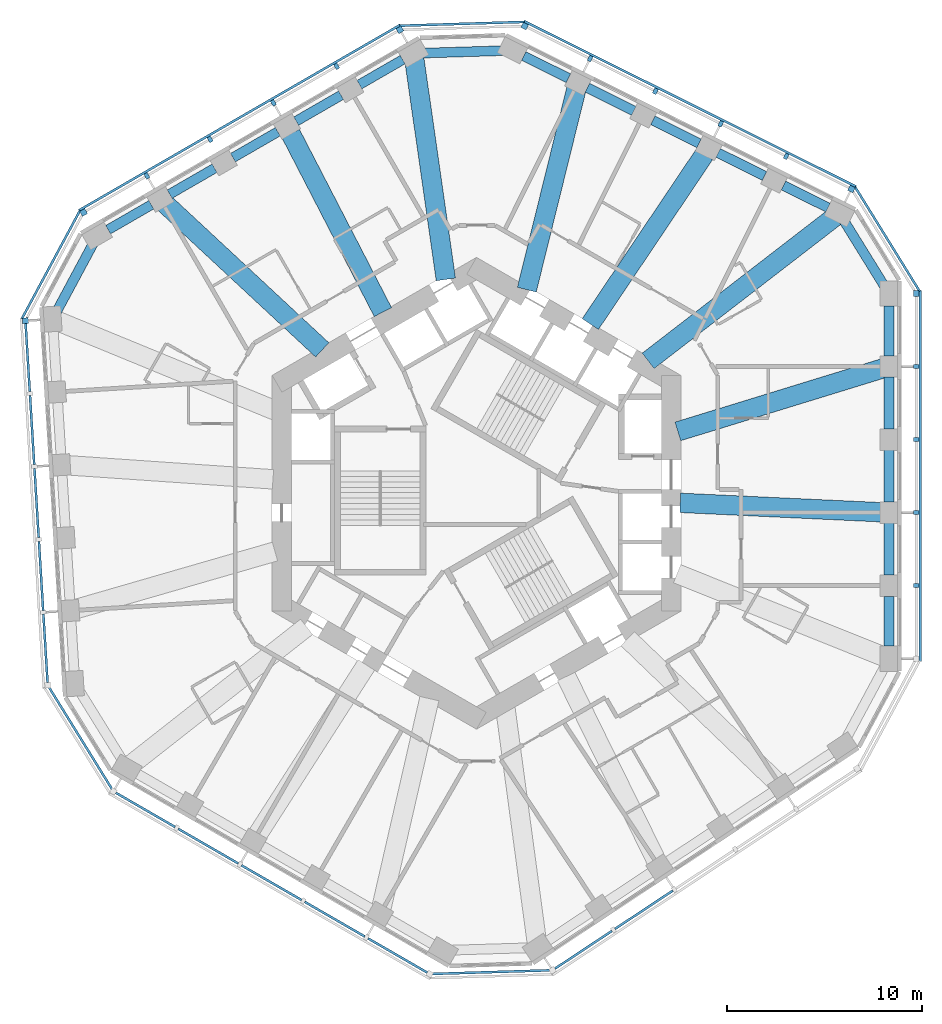
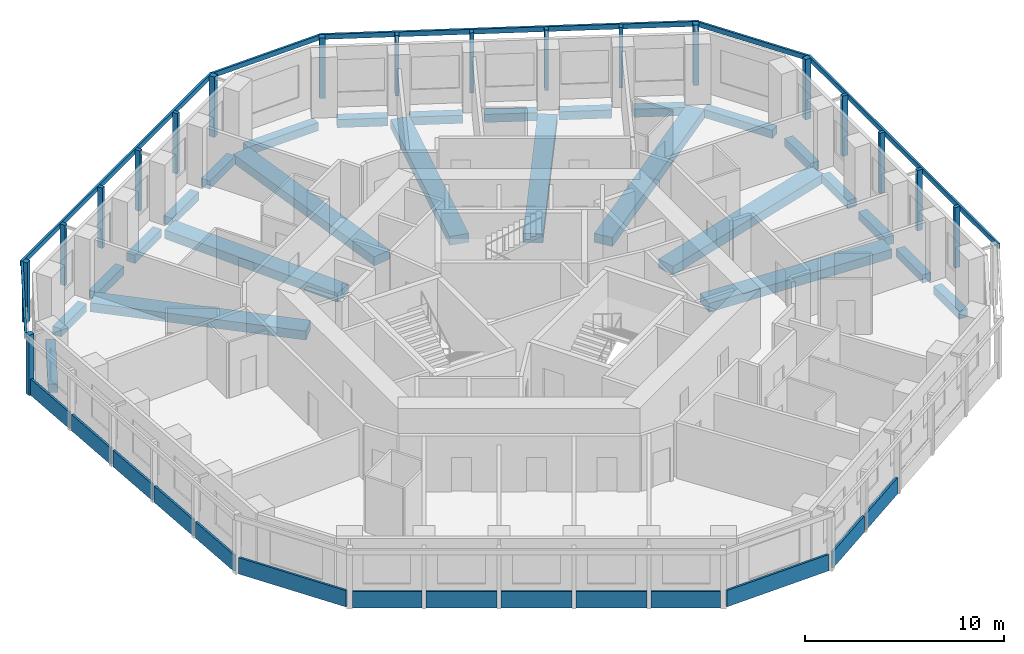
# One storey, part 2 of 11: 26 beams, 24 members, 14 plates, 11 elements without a shape of their own.
"""IFC4 building model written with IfcOpenShell, lengths in metres."""

from ifc_helpers import new_model, si_unit, direction, frame, origin, origin_2d, place, context, subcontext, project, spatial, rectangle, extrude, material, layer, layer_set, material_profile, profile_set, type_object, element, aggregate, save


model = new_model("IFC4")

# Units and contexts
model_context = context("Model", 3, precision=1e-05, world=origin(), true_north=direction((0.0, 1.0)))
body_context = subcontext(model_context, "Body", "Model", "MODEL_VIEW")
ifc_project = project(units=[si_unit("LENGTHUNIT", "METRE"), si_unit("AREAUNIT", "SQUARE_METRE"), si_unit("VOLUMEUNIT", "CUBIC_METRE"), si_unit("PLANEANGLEUNIT", "RADIAN"), si_unit("MASSUNIT", "GRAM", prefix="KILO")], contexts=[model_context])

# Site, building, storey
site_placement = place(None, origin())
site = spatial("IfcSite", under=ifc_project, at=site_placement, CompositionType="ELEMENT")
building_placement = place(site_placement, origin())
building = spatial("IfcBuilding", under=site, at=building_placement, Name="Vanh Sen Convention Tower", CompositionType="ELEMENT")
storey_placement = place(building_placement, frame((0.0, 0.0, 128.10009765625)))
storey = spatial("IfcBuildingStorey", under=building, at=storey_placement, Name="L31", CompositionType="ELEMENT", Elevation=128.10009765625)

# Curtain wall, member
ifc_material_1 = material(Name="Concrete C50/60", Category="concrete")
curtain_wall_type = type_object("IfcCurtainWallType", Name="Outer skin office zone", PredefinedType="NOTDEFINED", material=ifc_material_1)
curtain_wall_1_placement = place(storey_placement, origin())
curtain_wall_1 = element("IfcCurtainWall", 1, at=curtain_wall_1_placement, inside=storey, type_object=curtain_wall_type, Name="OUTER SKIN E L31", PredefinedType="NOTDEFINED")
ifc_material_profile_1 = material_profile(ifc_material_1, rectangle(XDim=0.300048828125, YDim=0.300048828125, at=origin_2d()), Name="Outer skin precast corner fin 300 x 300")
ifc_profile_set_1 = profile_set([ifc_material_profile_1], Name="Concrete C50/60")
member_type_1 = type_object("IfcMemberType", Name="Outer skin precast corner fin 300 x 300", PredefinedType="MULLION", material=ifc_profile_set_1)
member_1_placement = place(storey_placement, frame((22.60009765625, 10.26953125, 0.0), z_axis=(0.0, 0.0, 1.0), x_axis=(0.0, 1.0, 0.0)))
member_1 = element("IfcMember", 2, at=member_1_placement, type_object=member_type_1, Name="OUTER SKIN CORNER FIN 6 E L31", PredefinedType="MULLION", context=body_context, shape_type="SweptSolid", body=[
    extrude(rectangle(XDim=0.300048828125, YDim=0.300048828125, at=origin_2d()), origin(), (0.0, 0.0, 1.0), 3.699951171875),
])

# Curtain wall, members
curtain_wall_2_placement = place(storey_placement, origin())
curtain_wall_2 = element("IfcCurtainWall", 3, at=curtain_wall_2_placement, inside=storey, type_object=curtain_wall_type, Name="OUTER SKIN NE L31", PredefinedType="NOTDEFINED")
member_2_placement = place(storey_placement, frame((19.274658203125, 15.643310546875, 0.0), z_axis=(0.0, 0.0, 1.0), x_axis=(-0.894934361602, 0.44619781311, 0.0)))
member_2 = element("IfcMember", 4, at=member_2_placement, type_object=member_type_1, Name="OUTER SKIN CORNER FIN 1 NE L31", PredefinedType="MULLION", context=body_context, shape_type="SweptSolid", body=[
    extrude(rectangle(XDim=0.300048828125, YDim=0.300048828125, at=origin_2d()), origin(), (0.0, 0.0, 1.0), 3.699951171875),
])
member_3_placement = place(storey_placement, frame((2.476318359375, 24.0185546875, 0.0), z_axis=(0.0, 0.0, 1.0), x_axis=(-0.894934361602, 0.44619781311, 0.0)))
member_3 = element("IfcMember", 5, at=member_3_placement, type_object=member_type_1, Name="OUTER SKIN CORNER FIN 6 NE L31", PredefinedType="MULLION", context=body_context, shape_type="SweptSolid", body=[
    extrude(rectangle(XDim=0.300048828125, YDim=0.300048828125, at=origin_2d()), origin(), (0.0, 0.0, 1.0), 3.699951171875),
])

curtain_wall_3_placement = place(storey_placement, origin())
curtain_wall_3 = element("IfcCurtainWall", 6, at=curtain_wall_3_placement, inside=storey, type_object=curtain_wall_type, Name="OUTER SKIN NW L31", PredefinedType="NOTDEFINED")
member_4_placement = place(storey_placement, frame((-3.93798828125, 23.822509765625, 0.0), z_axis=(0.0, 0.0, 1.0), x_axis=(-0.866025403784, -0.5, 0.0)))
member_4 = element("IfcMember", 7, at=member_4_placement, type_object=member_type_1, Name="OUTER SKIN CORNER FIN 1 NW L31", PredefinedType="MULLION", context=body_context, shape_type="SweptSolid", body=[
    extrude(rectangle(XDim=0.300048828125, YDim=0.300048828125, at=origin_2d()), origin(), (0.0, 0.0, 1.0), 3.699951171875),
])
member_5_placement = place(storey_placement, frame((-20.193603515625, 14.4375, 0.0), z_axis=(0.0, 0.0, 1.0), x_axis=(-0.866025403784, -0.5, 0.0)))
member_5 = element("IfcMember", 8, at=member_5_placement, type_object=member_type_1, Name="OUTER SKIN CORNER FIN 6 NW L31", PredefinedType="MULLION", context=body_context, shape_type="SweptSolid", body=[
    extrude(rectangle(XDim=0.300048828125, YDim=0.300048828125, at=origin_2d()), origin(), (0.0, 0.0, 1.0), 3.699951171875),
])

# Curtain wall, member
curtain_wall_4_placement = place(storey_placement, origin())
curtain_wall_4 = element("IfcCurtainWall", 9, at=curtain_wall_4_placement, inside=storey, type_object=curtain_wall_type, Name="OUTER SKIN W L31", PredefinedType="NOTDEFINED")
member_6_placement = place(storey_placement, frame((-23.184814453125, 8.87060546875, 0.0), z_axis=(0.0, 0.0, 1.0), x_axis=(0.061048539535, -0.998134798422, 0.0)))
member_6 = element("IfcMember", 10, at=member_6_placement, type_object=member_type_1, Name="OUTER SKIN CORNER FIN 1 W L31", PredefinedType="MULLION", context=body_context, shape_type="SweptSolid", body=[
    extrude(rectangle(XDim=0.300048828125, YDim=0.300048828125, at=origin_2d()), origin(), (0.0, 0.0, 1.0), 3.699951171875),
])

# Member
ifc_material_profile_2 = material_profile(ifc_material_1, rectangle(XDim=0.199951171875, YDim=0.300048828125, at=origin_2d()), Name="Outer skin precast fin 200 x 300")
ifc_profile_set_2 = profile_set([ifc_material_profile_2], Name="Concrete C50/60")
member_type_2 = type_object("IfcMemberType", Name="Outer skin precast fin 200 x 300", PredefinedType="MULLION", material=ifc_profile_set_2)
member_7_placement = place(storey_placement, frame((22.60009765625, -4.746826171875, 0.0), z_axis=(0.0, 0.0, 1.0), x_axis=(0.0, 1.0, 0.0)))
member_7 = element("IfcMember", 11, at=member_7_placement, type_object=member_type_2, Name="OUTER SKIN fin 2 E L31", PredefinedType="MULLION", context=body_context, shape_type="SweptSolid", body=[
    extrude(rectangle(XDim=0.199951171875, YDim=0.300048828125, at=origin_2d()), origin(), (0.0, 0.0, 1.0), 3.699951171875),
])

member_8_placement = place(storey_placement, frame((22.60009765625, -0.992919921875, 0.0), z_axis=(0.0, 0.0, 1.0), x_axis=(0.0, 1.0, 0.0)))
member_8 = element("IfcMember", 12, at=member_8_placement, type_object=member_type_2, Name="OUTER SKIN fin 3 E L31", PredefinedType="MULLION", context=body_context, shape_type="SweptSolid", body=[
    extrude(rectangle(XDim=0.199951171875, YDim=0.300048828125, at=origin_2d()), origin(), (0.0, 0.0, 1.0), 3.699951171875),
])

member_9_placement = place(storey_placement, frame((22.60009765625, 2.76123046875, 0.0), z_axis=(0.0, 0.0, 1.0), x_axis=(0.0, 1.0, 0.0)))
member_9 = element("IfcMember", 13, at=member_9_placement, type_object=member_type_2, Name="OUTER SKIN fin 4 E L31", PredefinedType="MULLION", context=body_context, shape_type="SweptSolid", body=[
    extrude(rectangle(XDim=0.199951171875, YDim=0.300048828125, at=origin_2d()), origin(), (0.0, 0.0, 1.0), 3.699951171875),
])

member_10_placement = place(storey_placement, frame((22.60009765625, 6.515380859375, 0.0), z_axis=(0.0, 0.0, 1.0), x_axis=(0.0, 1.0, 0.0)))
member_10 = element("IfcMember", 14, at=member_10_placement, type_object=member_type_2, Name="OUTER SKIN fin 5 E L31", PredefinedType="MULLION", context=body_context, shape_type="SweptSolid", body=[
    extrude(rectangle(XDim=0.199951171875, YDim=0.300048828125, at=origin_2d()), origin(), (0.0, 0.0, 1.0), 3.699951171875),
])

member_11_placement = place(storey_placement, frame((15.9150390625, 17.318359375, 0.0), z_axis=(0.0, 0.0, 1.0), x_axis=(-0.894934361602, 0.44619781311, 0.0)))
member_11 = element("IfcMember", 15, at=member_11_placement, type_object=member_type_2, Name="OUTER SKIN fin 2 NE L31", PredefinedType="MULLION", context=body_context, shape_type="SweptSolid", body=[
    extrude(rectangle(XDim=0.199951171875, YDim=0.300048828125, at=origin_2d()), origin(), (0.0, 0.0, 1.0), 3.699951171875),
])

member_12_placement = place(storey_placement, frame((12.555419921875, 18.993408203125, 0.0), z_axis=(0.0, 0.0, 1.0), x_axis=(-0.894934361602, 0.44619781311, 0.0)))
member_12 = element("IfcMember", 16, at=member_12_placement, type_object=member_type_2, Name="OUTER SKIN fin 3 NE L31", PredefinedType="MULLION", context=body_context, shape_type="SweptSolid", body=[
    extrude(rectangle(XDim=0.199951171875, YDim=0.300048828125, at=origin_2d()), origin(), (0.0, 0.0, 1.0), 3.699951171875),
])

member_13_placement = place(storey_placement, frame((9.195556640625, 20.66845703125, 0.0), z_axis=(0.0, 0.0, 1.0), x_axis=(-0.894934361602, 0.44619781311, 0.0)))
member_13 = element("IfcMember", 17, at=member_13_placement, type_object=member_type_2, Name="OUTER SKIN fin 4 NE L31", PredefinedType="MULLION", context=body_context, shape_type="SweptSolid", body=[
    extrude(rectangle(XDim=0.199951171875, YDim=0.300048828125, at=origin_2d()), origin(), (0.0, 0.0, 1.0), 3.699951171875),
])

member_14_placement = place(storey_placement, frame((5.8359375, 22.343505859375, 0.0), z_axis=(0.0, 0.0, 1.0), x_axis=(-0.894934361602, 0.44619781311, 0.0)))
member_14 = element("IfcMember", 18, at=member_14_placement, type_object=member_type_2, Name="OUTER SKIN fin 5 NE L31", PredefinedType="MULLION", context=body_context, shape_type="SweptSolid", body=[
    extrude(rectangle(XDim=0.199951171875, YDim=0.300048828125, at=origin_2d()), origin(), (0.0, 0.0, 1.0), 3.699951171875),
])

member_15_placement = place(storey_placement, frame((-7.189208984375, 21.945556640625, 0.0), z_axis=(0.0, 0.0, 1.0), x_axis=(-0.866025403784, -0.5, 0.0)))
member_15 = element("IfcMember", 19, at=member_15_placement, type_object=member_type_2, Name="OUTER SKIN fin 2 NW L31", PredefinedType="MULLION", context=body_context, shape_type="SweptSolid", body=[
    extrude(rectangle(XDim=0.199951171875, YDim=0.300048828125, at=origin_2d()), origin(), (0.0, 0.0, 1.0), 3.699951171875),
])

member_16_placement = place(storey_placement, frame((-10.440185546875, 20.068603515625, 0.0), z_axis=(0.0, 0.0, 1.0), x_axis=(-0.866025403784, -0.5, 0.0)))
member_16 = element("IfcMember", 20, at=member_16_placement, type_object=member_type_2, Name="OUTER SKIN fin 3 NW L31", PredefinedType="MULLION", context=body_context, shape_type="SweptSolid", body=[
    extrude(rectangle(XDim=0.199951171875, YDim=0.300048828125, at=origin_2d()), origin(), (0.0, 0.0, 1.0), 3.699951171875),
])

member_17_placement = place(storey_placement, frame((-13.69140625, 18.19140625, 0.0), z_axis=(0.0, 0.0, 1.0), x_axis=(-0.866025403784, -0.5, 0.0)))
member_17 = element("IfcMember", 21, at=member_17_placement, type_object=member_type_2, Name="OUTER SKIN fin 4 NW L31", PredefinedType="MULLION", context=body_context, shape_type="SweptSolid", body=[
    extrude(rectangle(XDim=0.199951171875, YDim=0.300048828125, at=origin_2d()), origin(), (0.0, 0.0, 1.0), 3.699951171875),
])

member_18_placement = place(storey_placement, frame((-16.9423828125, 16.314453125, 0.0), z_axis=(0.0, 0.0, 1.0), x_axis=(-0.866025403784, -0.5, 0.0)))
member_18 = element("IfcMember", 22, at=member_18_placement, type_object=member_type_2, Name="OUTER SKIN fin 5 NW L31", PredefinedType="MULLION", context=body_context, shape_type="SweptSolid", body=[
    extrude(rectangle(XDim=0.199951171875, YDim=0.300048828125, at=origin_2d()), origin(), (0.0, 0.0, 1.0), 3.699951171875),
])

ifc_material_profile_3 = material_profile(ifc_material_1, rectangle(XDim=0.1201171875, YDim=0.300048828125, at=origin_2d()), Name="Outer skin precast spandrel band 300 x 120")
ifc_profile_set_3 = profile_set([ifc_material_profile_3], Name="Concrete C50/60")
member_type_3 = type_object("IfcMemberType", Name="Outer skin precast spandrel band 300 x 120", PredefinedType="USERDEFINED", material=ifc_profile_set_3)
member_19_placement = place(storey_placement, frame((22.81005859375, -8.65087890625, 3.5498046875), z_axis=(0.0, 1.0, 0.0), x_axis=(-1.0, 0.0, 0.0)))
member_19 = element("IfcMember", 23, at=member_19_placement, type_object=member_type_3, Name="OUTER SKIN spandrel band E L31", ObjectType="TRANSOM", PredefinedType="USERDEFINED", context=body_context, shape_type="SweptSolid", body=[
    extrude(rectangle(XDim=0.1201171875, YDim=0.300048828125, at=origin_2d()), origin(), (0.0, 0.0, 1.0), 19.0703125),
])

aggregate(curtain_wall_1, [member_7, member_8, member_9, member_10, member_1, member_19])

# Curtain wall, member
curtain_wall_5_placement = place(storey_placement, origin())
curtain_wall_5 = element("IfcCurtainWall", 24, at=curtain_wall_5_placement, inside=storey, type_object=curtain_wall_type, Name="OUTER SKIN CH1 L31", PredefinedType="NOTDEFINED")
member_20_placement = place(storey_placement, frame((22.778564453125, 10.3798828125, 3.5498046875), z_axis=(-0.526173726926, 0.850377098171, 0.0), x_axis=(-0.850377098171, -0.526173726926, 0.0)))
member_20 = element("IfcMember", 25, at=member_20_placement, type_object=member_type_3, Name="OUTER SKIN spandrel band CH1 L31", ObjectType="TRANSOM", PredefinedType="USERDEFINED", context=body_context, shape_type="SweptSolid", body=[
    extrude(rectangle(XDim=0.1201171875, YDim=0.300048828125, at=origin_2d()), origin(), (0.0, 0.0, 1.0), 6.319580078125),
])
aggregate(curtain_wall_5, [member_20])

# Member
member_21_placement = place(storey_placement, frame((19.502685546875, 15.764404296875, 3.5498046875), z_axis=(-0.894941234474, 0.446184027996, 0.0), x_axis=(-0.446184027996, -0.894941234474, 0.0)))
member_21 = element("IfcMember", 26, at=member_21_placement, type_object=member_type_3, Name="OUTER SKIN spandrel band NE L31", ObjectType="TRANSOM", PredefinedType="USERDEFINED", context=body_context, shape_type="SweptSolid", body=[
    extrude(rectangle(XDim=0.1201171875, YDim=0.300048828125, at=origin_2d()), origin(), (0.0, 0.0, 1.0), 19.07080078125),
])

aggregate(curtain_wall_2, [member_2, member_11, member_12, member_13, member_14, member_3, member_21])

# Curtain wall, member
curtain_wall_6_placement = place(storey_placement, origin())
curtain_wall_6 = element("IfcCurtainWall", 27, at=curtain_wall_6_placement, inside=storey, type_object=curtain_wall_type, Name="OUTER SKIN CH2 L31", PredefinedType="NOTDEFINED")
member_22_placement = place(storey_placement, frame((2.4697265625, 24.228515625, 3.5498046875), z_axis=(-0.999533221695, -0.030550592913, 0.0), x_axis=(0.030550592913, -0.999533221695, 0.0)))
member_22 = element("IfcMember", 28, at=member_22_placement, type_object=member_type_3, Name="OUTER SKIN spandrel band CH2 L31", ObjectType="TRANSOM", PredefinedType="USERDEFINED", context=body_context, shape_type="SweptSolid", body=[
    extrude(rectangle(XDim=0.1201171875, YDim=0.300048828125, at=origin_2d()), origin(), (0.0, 0.0, 1.0), 6.4169921875),
])
aggregate(curtain_wall_6, [member_22])

# Member
member_23_placement = place(storey_placement, frame((-3.9130859375, 24.07958984375, 3.5498046875), z_axis=(-0.866023136587, -0.500003926881, 0.0), x_axis=(0.500003926881, -0.866023136587, 0.0)))
member_23 = element("IfcMember", 29, at=member_23_placement, type_object=member_type_3, Name="OUTER SKIN spandrel band NW L31", ObjectType="TRANSOM", PredefinedType="USERDEFINED", context=body_context, shape_type="SweptSolid", body=[
    extrude(rectangle(XDim=0.1201171875, YDim=0.300048828125, at=origin_2d()), origin(), (0.0, 0.0, 1.0), 19.070556640625),
])

aggregate(curtain_wall_3, [member_4, member_15, member_16, member_17, member_18, member_5, member_23])

# Curtain wall, member
curtain_wall_7_placement = place(storey_placement, origin())
curtain_wall_7 = element("IfcCurtainWall", 30, at=curtain_wall_7_placement, inside=storey, type_object=curtain_wall_type, Name="OUTER SKIN CH3 L31", PredefinedType="NOTDEFINED")
member_24_placement = place(storey_placement, frame((-20.378662109375, 14.536865234375, 3.5498046875), z_axis=(-0.47333707755, -0.880881383057, 0.0), x_axis=(0.880881383057, -0.47333707755, 0.0)))
member_24 = element("IfcMember", 31, at=member_24_placement, type_object=member_type_3, Name="OUTER SKIN spandrel band CH3 L31", ObjectType="TRANSOM", PredefinedType="USERDEFINED", context=body_context, shape_type="SweptSolid", body=[
    extrude(rectangle(XDim=0.1201171875, YDim=0.300048828125, at=origin_2d()), origin(), (0.0, 0.0, 1.0), 6.3193359375),
])
aggregate(curtain_wall_7, [member_24])

# Beams
ifc_material_2 = material(Name="Concrete C50/60", Category="concrete")
ifc_material_profile_4 = material_profile(ifc_material_2, rectangle(XDim=1.0, YDim=0.550048828125, at=origin_2d()), Name="RC 1000X550")
ifc_profile_set_4 = profile_set([ifc_material_profile_4], Name="Concrete C50/60")
beam_type_1 = type_object("IfcBeamType", Name="Radial floor beam 1000 x 550", PredefinedType="BEAM", material=ifc_profile_set_4)
beam_1_placement = place(storey_placement, frame((20.7783203125, -0.97314453125, -0.55517578125), z_axis=(-0.998905248477, 0.046779317705, 0.0), x_axis=(-0.046779317705, -0.998905248477, 0.0)))
element("IfcBeam", 32, at=beam_1_placement, inside=storey, type_object=beam_type_1, Name="Radial beam 02 L31", PredefinedType="BEAM", context=body_context, shape_type="SweptSolid", body=[
    extrude(rectangle(XDim=1.0, YDim=0.550048828125, at=origin_2d()), origin(), (0.0, 0.0, 1.0), 10.31787109375),
])
beam_2_placement = place(storey_placement, frame((20.97021484375, 6.44482421875, -0.55517578125), z_axis=(-0.955876339667, -0.293769336835, 0.0), x_axis=(0.293769336835, -0.955876339667, 0.0)))
element("IfcBeam", 33, at=beam_2_placement, inside=storey, type_object=beam_type_1, Name="Radial beam 03 L31", PredefinedType="BEAM", context=body_context, shape_type="SweptSolid", body=[
    extrude(rectangle(XDim=1.0, YDim=0.550048828125, at=origin_2d()), origin(), (0.0, 0.0, 1.0), 11.112060546875),
])
beam_3_placement = place(storey_placement, frame((18.449951171875, 14.236083984375, -0.55517578125), z_axis=(-0.79170818872, -0.610899454832, 0.0), x_axis=(0.610899454832, -0.79170818872, 0.0)))
element("IfcBeam", 34, at=beam_3_placement, inside=storey, type_object=beam_type_1, Name="Radial beam 04 L31", PredefinedType="BEAM", context=body_context, shape_type="SweptSolid", body=[
    extrude(rectangle(XDim=1.0, YDim=0.550048828125, at=origin_2d()), origin(), (0.0, 0.0, 1.0), 12.161865234375),
])
beam_4_placement = place(storey_placement, frame((11.716552734375, 17.422119140625, -0.55517578125), z_axis=(-0.558062126182, -0.829799170475, 0.0), x_axis=(0.829799170475, -0.558062126182, 0.0)))
element("IfcBeam", 35, at=beam_4_placement, inside=storey, type_object=beam_type_1, Name="Radial beam 05 L31", PredefinedType="BEAM", context=body_context, shape_type="SweptSolid", body=[
    extrude(rectangle(XDim=1.0, YDim=0.550048828125, at=origin_2d()), origin(), (0.0, 0.0, 1.0), 10.510009765625),
])
beam_5_placement = place(storey_placement, frame((5.144287109375, 20.81982421875, -0.55517578125), z_axis=(-0.239868649212, -0.970805351821, 0.0), x_axis=(0.970805351821, -0.239868649212, 0.0)))
element("IfcBeam", 36, at=beam_5_placement, inside=storey, type_object=beam_type_1, Name="Radial beam 06 L31", PredefinedType="BEAM", context=body_context, shape_type="SweptSolid", body=[
    extrude(rectangle(XDim=1.0, YDim=0.550048828125, at=origin_2d()), origin(), (0.0, 0.0, 1.0), 10.66552734375),
])
beam_6_placement = place(storey_placement, frame((-3.1982421875, 22.333740234375, -0.55517578125), z_axis=(0.141740638319, -0.989903829394, 0.0), x_axis=(0.989903829394, 0.141740638319, 0.0)))
element("IfcBeam", 37, at=beam_6_placement, inside=storey, type_object=beam_type_1, Name="Radial beam 07 L31", PredefinedType="BEAM", context=body_context, shape_type="SweptSolid", body=[
    extrude(rectangle(XDim=1.0, YDim=0.550048828125, at=origin_2d()), origin(), (0.0, 0.0, 1.0), 11.454345703125),
])
beam_7_placement = place(storey_placement, frame((-9.54638671875, 18.481201171875, -0.55517578125), z_axis=(0.458939431593, -0.888467556036, 0.0), x_axis=(0.888467556036, 0.458939431593, 0.0)))
element("IfcBeam", 38, at=beam_7_placement, inside=storey, type_object=beam_type_1, Name="Radial beam 08 L31", PredefinedType="BEAM", context=body_context, shape_type="SweptSolid", body=[
    extrude(rectangle(XDim=1.0, YDim=0.550048828125, at=origin_2d()), origin(), (0.0, 0.0, 1.0), 10.318115234375),
])
beam_8_placement = place(storey_placement, frame((-16.06640625, 14.9384765625, -0.55517578125), z_axis=(0.732344952361, -0.680933822594, 0.0), x_axis=(0.680933822594, 0.732344952361, 0.0)))
element("IfcBeam", 39, at=beam_8_placement, inside=storey, type_object=beam_type_1, Name="Radial beam 09 L31", PredefinedType="BEAM", context=body_context, shape_type="SweptSolid", body=[
    extrude(rectangle(XDim=1.0, YDim=0.550048828125, at=origin_2d()), origin(), (0.0, 0.0, 1.0), 11.112060546875),
])
ifc_material_profile_5 = material_profile(ifc_material_2, rectangle(XDim=0.5, YDim=0.5, at=origin_2d()), Name="RC 500X500")
ifc_profile_set_5 = profile_set([ifc_material_profile_5], Name="Concrete C50/60")
beam_type_2 = type_object("IfcBeamType", Name="Spandrel beam 500 x 500", PredefinedType="SPANDREL", material=ifc_profile_set_5)
beam_9_placement = place(storey_placement, frame((21.199951171875, -7.85595703125, -0.530029296875), z_axis=(0.0, 1.0, 0.0), x_axis=(-1.0, 0.0, 0.0)))
element("IfcBeam", 40, at=beam_9_placement, inside=storey, type_object=beam_type_2, Name="Spandrel beam 01 L31", PredefinedType="SPANDREL", context=body_context, shape_type="SweptSolid", body=[
    extrude(rectangle(XDim=0.5, YDim=0.5, at=origin_2d()), origin(), (0.0, 0.0, 1.0), 2.56396484375),
])
for number, where, z_axis, x_axis, name in (
    (41, (21.199951171875, -4.201904296875, -0.530029296875), (0.0, 1.0, 0.0), (-1.0, 0.0, 0.0), "Spandrel beam 02 L31"),
    (42, (21.199951171875, -0.44775390625, -0.530029296875), (0.0, 1.0, 0.0), (-1.0, 0.0, 0.0), "Spandrel beam 03 L31"),
    (43, (21.199951171875, 3.306396484375, -0.530029296875), (0.0, 1.0, 0.0), (-1.0, 0.0, 0.0), "Spandrel beam 04 L31"),
):
    element("IfcBeam", number, at=place(storey_placement, frame(where, z_axis=z_axis, x_axis=x_axis)), inside=storey, type_object=beam_type_2, Name=name, PredefinedType="SPANDREL", context=body_context, shape_type="SweptSolid", body=[
        extrude(rectangle(XDim=0.5, YDim=0.5, at=origin_2d()), origin(), (0.0, 0.0, 1.0), 2.6640625),
    ])
beam_10_placement = place(storey_placement, frame((21.199951171875, 7.060302734375, -0.530029296875), z_axis=(0.0, 1.0, 0.0), x_axis=(-1.0, 0.0, 0.0)))
element("IfcBeam", 44, at=beam_10_placement, inside=storey, type_object=beam_type_2, Name="Spandrel beam 05 L31", PredefinedType="SPANDREL", context=body_context, shape_type="SweptSolid", body=[
    extrude(rectangle(XDim=0.5, YDim=0.5, at=origin_2d()), origin(), (0.0, 0.0, 1.0), 2.564208984375),
])
beam_11_placement = place(storey_placement, frame((20.965087890625, 10.64892578125, -0.530029296875), z_axis=(-0.526180283514, 0.850373041224, 0.0), x_axis=(-0.850373041224, -0.526180283514, 0.0)))
element("IfcBeam", 45, at=beam_11_placement, inside=storey, type_object=beam_type_2, Name="Spandrel beam 06 L31", PredefinedType="SPANDREL", context=body_context, shape_type="SweptSolid", body=[
    extrude(rectangle(XDim=0.5, YDim=0.5, at=origin_2d()), origin(), (0.0, 0.0, 1.0), 3.95361328125),
])
beam_12_placement = place(storey_placement, frame((18.07275390625, 14.67822265625, -0.530029296875), z_axis=(-0.894940769459, 0.446184960707, 0.0), x_axis=(-0.446184960707, -0.894940769459, 0.0)))
element("IfcBeam", 46, at=beam_12_placement, inside=storey, type_object=beam_type_2, Name="Spandrel beam 07 L31", PredefinedType="SPANDREL", context=body_context, shape_type="SweptSolid", body=[
    extrude(rectangle(XDim=0.5, YDim=0.5, at=origin_2d()), origin(), (0.0, 0.0, 1.0), 2.56396484375),
])
for number, where, z_axis, x_axis, name in (
    (47, (14.802490234375, 16.30859375, -0.530029296875), (-0.894939776695, 0.446186951948, 0.0), (-0.446186951948, -0.894939776695, 0.0), "Spandrel beam 08 L31"),
    (48, (11.44287109375, 17.983642578125, -0.530029296875), (-0.894939776695, 0.446186951948, 0.0), (-0.446186951948, -0.894939776695, 0.0), "Spandrel beam 09 L31"),
    (49, (8.083251953125, 19.65869140625, -0.530029296875), (-0.894939776695, 0.446186951948, 0.0), (-0.446186951948, -0.894939776695, 0.0), "Spandrel beam 10 L31"),
):
    element("IfcBeam", number, at=place(storey_placement, frame(where, z_axis=z_axis, x_axis=x_axis)), inside=storey, type_object=beam_type_2, Name=name, PredefinedType="SPANDREL", context=body_context, shape_type="SweptSolid", body=[
        extrude(rectangle(XDim=0.5, YDim=0.5, at=origin_2d()), origin(), (0.0, 0.0, 1.0), 2.6640625),
    ])
beam_13_placement = place(storey_placement, frame((4.723388671875, 21.333984375, -0.530029296875), z_axis=(-0.894978788678, 0.446108695069, 0.0), x_axis=(-0.446108695069, -0.894978788678, 0.0)))
element("IfcBeam", 50, at=beam_13_placement, inside=storey, type_object=beam_type_2, Name="Spandrel beam 11 L31", PredefinedType="SPANDREL", context=body_context, shape_type="SweptSolid", body=[
    extrude(rectangle(XDim=0.5, YDim=0.5, at=origin_2d()), origin(), (0.0, 0.0, 1.0), 2.56396484375),
])
beam_14_placement = place(storey_placement, frame((1.371337890625, 22.7509765625, -0.530029296875), z_axis=(-0.999534922792, -0.030494886783, 0.0), x_axis=(0.030494886783, -0.999534922792, 0.0)))
element("IfcBeam", 51, at=beam_14_placement, inside=storey, type_object=beam_type_2, Name="Spandrel beam 12 L31", PredefinedType="SPANDREL", context=body_context, shape_type="SweptSolid", body=[
    extrude(rectangle(XDim=0.5, YDim=0.5, at=origin_2d()), origin(), (0.0, 0.0, 1.0), 4.131103515625),
])
beam_15_placement = place(storey_placement, frame((-3.79638671875, 22.28759765625, -0.530029296875), z_axis=(-0.866049234614, -0.499958721521, 0.0), x_axis=(0.499958721521, -0.866049234614, 0.0)))
element("IfcBeam", 52, at=beam_15_placement, inside=storey, type_object=beam_type_2, Name="Spandrel beam 13 L31", PredefinedType="SPANDREL", context=body_context, shape_type="SweptSolid", body=[
    extrude(rectangle(XDim=0.5, YDim=0.5, at=origin_2d()), origin(), (0.0, 0.0, 1.0), 2.564208984375),
])
beam_16_placement = place(storey_placement, frame((-6.961181640625, 20.460693359375, -0.530029296875), z_axis=(-0.866023818221, -0.500002746266, 0.0), x_axis=(0.500002746266, -0.866023818221, 0.0)))
element("IfcBeam", 53, at=beam_16_placement, inside=storey, type_object=beam_type_2, Name="Spandrel beam 14 L31", PredefinedType="SPANDREL", context=body_context, shape_type="SweptSolid", body=[
    extrude(rectangle(XDim=0.5, YDim=0.5, at=origin_2d()), origin(), (0.0, 0.0, 1.0), 2.6640625),
])
beam_17_placement = place(storey_placement, frame((-10.212158203125, 18.58349609375, -0.530029296875), z_axis=(-0.866063499924, -0.499934009745, 0.0), x_axis=(0.499934009745, -0.866063499924, 0.0)))
element("IfcBeam", 54, at=beam_17_placement, inside=storey, type_object=beam_type_2, Name="Spandrel beam 15 L31", PredefinedType="SPANDREL", context=body_context, shape_type="SweptSolid", body=[
    extrude(rectangle(XDim=0.5, YDim=0.5, at=origin_2d()), origin(), (0.0, 0.0, 1.0), 2.663818359375),
])
beam_18_placement = place(storey_placement, frame((-13.46337890625, 16.70654296875, -0.530029296875), z_axis=(-0.866023818221, -0.500002746266, 0.0), x_axis=(0.500002746266, -0.866023818221, 0.0)))
element("IfcBeam", 55, at=beam_18_placement, inside=storey, type_object=beam_type_2, Name="Spandrel beam 16 L31", PredefinedType="SPANDREL", context=body_context, shape_type="SweptSolid", body=[
    extrude(rectangle(XDim=0.5, YDim=0.5, at=origin_2d()), origin(), (0.0, 0.0, 1.0), 2.6640625),
])
beam_19_placement = place(storey_placement, frame((-16.714599609375, 14.82958984375, -0.530029296875), z_axis=(-0.866025432576, -0.499999950132, 0.0), x_axis=(0.499999950132, -0.866025432576, 0.0)))
element("IfcBeam", 56, at=beam_19_placement, inside=storey, type_object=beam_type_2, Name="Spandrel beam 17 L31", PredefinedType="SPANDREL", context=body_context, shape_type="SweptSolid", body=[
    extrude(rectangle(XDim=0.5, YDim=0.5, at=origin_2d()), origin(), (0.0, 0.0, 1.0), 2.56396484375),
])
beam_20_placement = place(storey_placement, frame((-19.704833984375, 12.83203125, -0.530029296875), z_axis=(-0.473300582372, -0.880900992579, 0.0), x_axis=(0.880900992579, -0.473300582372, 0.0)))
element("IfcBeam", 57, at=beam_20_placement, inside=storey, type_object=beam_type_2, Name="Spandrel beam 18 L31", PredefinedType="SPANDREL", context=body_context, shape_type="SweptSolid", body=[
    extrude(rectangle(XDim=0.5, YDim=0.5, at=origin_2d()), origin(), (0.0, 0.0, 1.0), 3.953857421875),
])

# Plate
ifc_layer = layer(ifc_material_1, 0.1201171875)
ifc_layer_set = layer_set([ifc_layer], Name="Concrete C50/60")
plate_type = type_object("IfcPlateType", Name="Outer skin precast screen panel 120", PredefinedType="CURTAIN_PANEL", material=ifc_layer_set)
plate_1_placement = place(storey_placement, frame((-23.068603515625, 6.97216796875, 0.0), z_axis=(0.0, 0.0, 1.0), x_axis=(0.061053765756, -0.998134478759, 0.0)))
plate_1 = element("IfcPlate", 58, at=plate_1_placement, type_object=plate_type, Name="OUTER SKIN screen panel W-1", PredefinedType="CURTAIN_PANEL", context=body_context, shape_type="SweptSolid", body=[
    extrude(rectangle(XDim=3.504150390625, YDim=0.1201171875, at=origin_2d()), origin(), (0.0, 0.0, 1.0), 1.0),
])

plate_2_placement = place(storey_placement, frame((-22.841064453125, 3.25, 0.0), z_axis=(0.0, 0.0, 1.0), x_axis=(0.061052023682, -0.998134585316, 0.0)))
plate_2 = element("IfcPlate", 59, at=plate_2_placement, type_object=plate_type, Name="OUTER SKIN screen panel W-2", PredefinedType="CURTAIN_PANEL", context=body_context, shape_type="SweptSolid", body=[
    extrude(rectangle(XDim=3.55419921875, YDim=0.1201171875, at=origin_2d()), origin(), (0.0, 0.0, 1.0), 1.0),
])

plate_3_placement = place(storey_placement, frame((-22.61181640625, -0.4970703125, 0.0), z_axis=(0.0, 0.0, 1.0), x_axis=(0.061053765756, -0.998134478759, 0.0)))
plate_3 = element("IfcPlate", 60, at=plate_3_placement, type_object=plate_type, Name="OUTER SKIN screen panel W-3", PredefinedType="CURTAIN_PANEL", context=body_context, shape_type="SweptSolid", body=[
    extrude(rectangle(XDim=3.55419921875, YDim=0.1201171875, at=origin_2d()), origin(), (0.0, 0.0, 1.0), 1.0),
])

plate_4_placement = place(storey_placement, frame((-22.382568359375, -4.244140625, 0.0), z_axis=(0.0, 0.0, 1.0), x_axis=(0.061025892559, -0.998136183312, 0.0)))
plate_4 = element("IfcPlate", 61, at=plate_4_placement, type_object=plate_type, Name="OUTER SKIN screen panel W-4", PredefinedType="CURTAIN_PANEL", context=body_context, shape_type="SweptSolid", body=[
    extrude(rectangle(XDim=3.55419921875, YDim=0.1201171875, at=origin_2d()), origin(), (0.0, 0.0, 1.0), 1.0),
])

plate_5_placement = place(storey_placement, frame((-22.155029296875, -7.96630859375, 0.0), z_axis=(0.0, 0.0, 1.0), x_axis=(0.061053765756, -0.998134478759, 0.0)))
plate_5 = element("IfcPlate", 62, at=plate_5_placement, type_object=plate_type, Name="OUTER SKIN screen panel W-5", PredefinedType="CURTAIN_PANEL", context=body_context, shape_type="SweptSolid", body=[
    extrude(rectangle(XDim=3.504150390625, YDim=0.1201171875, at=origin_2d()), origin(), (0.0, 0.0, 1.0), 1.0),
])

aggregate(curtain_wall_4, [member_6, plate_1, plate_2, plate_3, plate_4, plate_5])

# Curtain wall, plate
curtain_wall_8_placement = place(storey_placement, origin())
curtain_wall_8 = element("IfcCurtainWall", 63, at=curtain_wall_8_placement, inside=storey, type_object=curtain_wall_type, Name="OUTER SKIN CH4 L31", PredefinedType="NOTDEFINED")
plate_6_placement = place(storey_placement, frame((-20.3505859375, -12.59326171875, 0.0), z_axis=(0.0, 0.0, 1.0), x_axis=(0.526218376078, -0.850349469734, 0.0)))
plate_6 = element("IfcPlate", 64, at=plate_6_placement, type_object=plate_type, Name="OUTER SKIN screen panel CH4-1", PredefinedType="CURTAIN_PANEL", context=body_context, shape_type="SweptSolid", body=[
    extrude(rectangle(XDim=6.1171875, YDim=0.1201171875, at=origin_2d()), origin(), (0.0, 0.0, 1.0), 1.0),
])
aggregate(curtain_wall_8, [plate_6])

# Curtain wall, plates
curtain_wall_9_placement = place(storey_placement, origin())
curtain_wall_9 = element("IfcCurtainWall", 65, at=curtain_wall_9_placement, inside=storey, type_object=curtain_wall_type, Name="OUTER SKIN SW L31", PredefinedType="NOTDEFINED")
plate_7_placement = place(storey_placement, frame((-17.014892578125, -16.272705078125, 0.0), z_axis=(0.0, 0.0, 1.0), x_axis=(0.86602365845, -0.500003022996, 0.0)))
plate_7 = element("IfcPlate", 66, at=plate_7_placement, type_object=plate_type, Name="OUTER SKIN screen panel SW-1", PredefinedType="CURTAIN_PANEL", context=body_context, shape_type="SweptSolid", body=[
    extrude(rectangle(XDim=3.504150390625, YDim=0.1201171875, at=origin_2d()), origin(), (0.0, 0.0, 1.0), 1.0),
])
plate_8_placement = place(storey_placement, frame((-13.785400390625, -18.13720703125, 0.0), z_axis=(0.0, 0.0, 1.0), x_axis=(0.866028021766, -0.499995465495, 0.0)))
plate_8 = element("IfcPlate", 67, at=plate_8_placement, type_object=plate_type, Name="OUTER SKIN screen panel SW-2", PredefinedType="CURTAIN_PANEL", context=body_context, shape_type="SweptSolid", body=[
    extrude(rectangle(XDim=3.553955078125, YDim=0.1201171875, at=origin_2d()), origin(), (0.0, 0.0, 1.0), 1.0),
])
plate_9_placement = place(storey_placement, frame((-10.5341796875, -20.014404296875, 0.0), z_axis=(0.0, 0.0, 1.0), x_axis=(0.86602365845, -0.500003022996, 0.0)))
plate_9 = element("IfcPlate", 68, at=plate_9_placement, type_object=plate_type, Name="OUTER SKIN screen panel SW-3", PredefinedType="CURTAIN_PANEL", context=body_context, shape_type="SweptSolid", body=[
    extrude(rectangle(XDim=3.55419921875, YDim=0.1201171875, at=origin_2d()), origin(), (0.0, 0.0, 1.0), 1.0),
])
plate_10_placement = place(storey_placement, frame((-7.283203125, -21.891357421875, 0.0), z_axis=(0.0, 0.0, 1.0), x_axis=(0.866016677006, -0.500015114919, 0.0)))
plate_10 = element("IfcPlate", 69, at=plate_10_placement, type_object=plate_type, Name="OUTER SKIN screen panel SW-4", PredefinedType="CURTAIN_PANEL", context=body_context, shape_type="SweptSolid", body=[
    extrude(rectangle(XDim=3.55419921875, YDim=0.1201171875, at=origin_2d()), origin(), (0.0, 0.0, 1.0), 1.0),
])
plate_11_placement = place(storey_placement, frame((-4.0537109375, -23.755859375, 0.0), z_axis=(0.0, 0.0, 1.0), x_axis=(0.866035002936, -0.499983373414, 0.0)))
plate_11 = element("IfcPlate", 70, at=plate_11_placement, type_object=plate_type, Name="OUTER SKIN screen panel SW-5", PredefinedType="CURTAIN_PANEL", context=body_context, shape_type="SweptSolid", body=[
    extrude(rectangle(XDim=3.504150390625, YDim=0.1201171875, at=origin_2d()), origin(), (0.0, 0.0, 1.0), 1.0),
])
aggregate(curtain_wall_9, [plate_7, plate_8, plate_9, plate_10, plate_11])

# Curtain wall, plate
curtain_wall_10_placement = place(storey_placement, origin())
curtain_wall_10 = element("IfcCurtainWall", 71, at=curtain_wall_10_placement, inside=storey, type_object=curtain_wall_type, Name="OUTER SKIN CH5 L31", PredefinedType="NOTDEFINED")
plate_12_placement = place(storey_placement, frame((0.751953125, -24.6103515625, 0.0), z_axis=(0.0, 0.0, 1.0), x_axis=(0.999533537535, 0.030540257725, 0.0)))
plate_12 = element("IfcPlate", 72, at=plate_12_placement, type_object=plate_type, Name="OUTER SKIN screen panel CH5-1", PredefinedType="CURTAIN_PANEL", context=body_context, shape_type="SweptSolid", body=[
    extrude(rectangle(XDim=6.019287109375, YDim=0.1201171875, at=origin_2d()), origin(), (0.0, 0.0, 1.0), 1.0),
])
aggregate(curtain_wall_10, [plate_12])

# Curtain wall, plates
curtain_wall_11_placement = place(storey_placement, origin())
curtain_wall_11 = element("IfcCurtainWall", 73, at=curtain_wall_11_placement, inside=storey, type_object=curtain_wall_type, Name="OUTER SKIN SE L31", PredefinedType="NOTDEFINED")
plate_13_placement = place(storey_placement, frame((5.49609375, -23.464111328125, 0.0), z_axis=(0.0, 0.0, 1.0), x_axis=(0.833889675294, 0.551931163677, 0.0)))
plate_13 = element("IfcPlate", 74, at=plate_13_placement, type_object=plate_type, Name="OUTER SKIN screen panel SE-1", PredefinedType="CURTAIN_PANEL", context=body_context, shape_type="SweptSolid", body=[
    extrude(rectangle(XDim=3.504150390625, YDim=0.1201171875, at=origin_2d()), origin(), (0.0, 0.0, 1.0), 1.0),
])
plate_14_placement = place(storey_placement, frame((8.60595703125, -21.406005859375, 0.0), z_axis=(0.0, 0.0, 1.0), x_axis=(0.833889675294, 0.551931163677, 0.0)))
plate_14 = element("IfcPlate", 75, at=plate_14_placement, type_object=plate_type, Name="OUTER SKIN screen panel SE-2", PredefinedType="CURTAIN_PANEL", context=body_context, shape_type="SweptSolid", body=[
    extrude(rectangle(XDim=3.55419921875, YDim=0.1201171875, at=origin_2d()), origin(), (0.0, 0.0, 1.0), 1.0),
])
aggregate(curtain_wall_11, [plate_13, plate_14])

save(model, "model.ifc")
